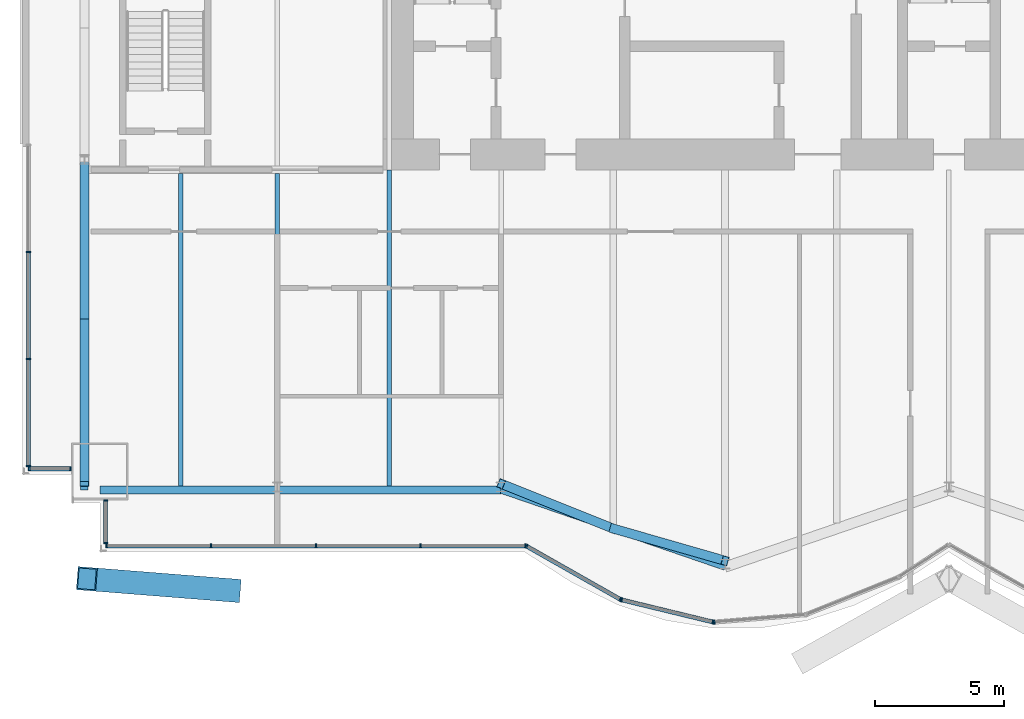
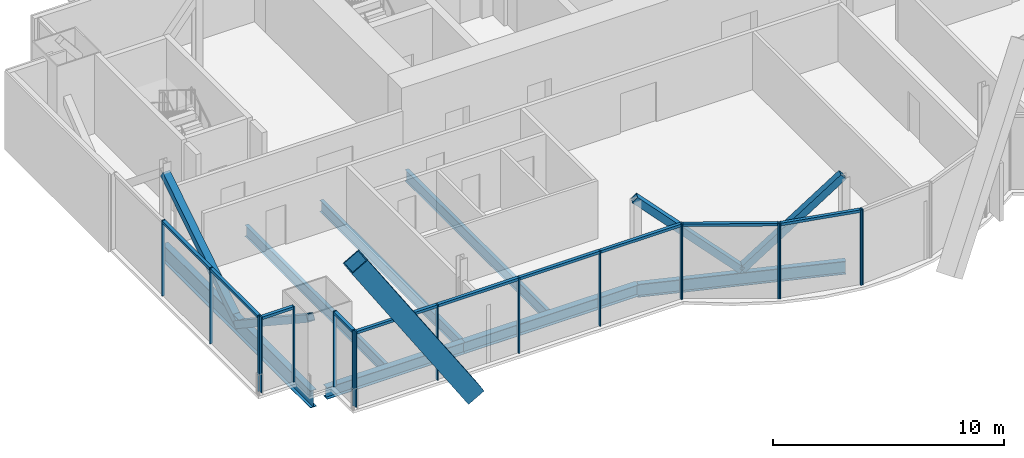
# One storey, part 5 of 19: 32 members, 7 beams, 5 elements without a shape of their own.
"""IFC4 building model written with IfcOpenShell, lengths in metres."""

from ifc_helpers import new_model, si_unit, direction, frame, origin, origin_2d, place, context, subcontext, project, spatial, rectangle, hollow_rectangle, i_section, extrude, material, material_profile, profile_set, type_object, element, aggregate, save


model = new_model("IFC4")

# Units and contexts
model_context = context("Model", 3, precision=1e-05, world=origin(), true_north=direction((0.0, 1.0)))
body_context = subcontext(model_context, "Body", "Model", "MODEL_VIEW")
ifc_project = project(units=[si_unit("LENGTHUNIT", "METRE"), si_unit("AREAUNIT", "SQUARE_METRE"), si_unit("VOLUMEUNIT", "CUBIC_METRE"), si_unit("PLANEANGLEUNIT", "RADIAN"), si_unit("MASSUNIT", "GRAM", prefix="KILO")], contexts=[model_context])

# Site, building, storey
site_placement = place(None, origin())
site = spatial("IfcSite", under=ifc_project, at=site_placement, CompositionType="ELEMENT")
building_placement = place(site_placement, origin())
building = spatial("IfcBuilding", under=site, at=building_placement, Name="Bicima Exchange Tower", CompositionType="ELEMENT")
storey_placement = place(building_placement, frame((0.0, 0.0, 283.39990234375)))
storey = spatial("IfcBuildingStorey", under=building, at=storey_placement, Name="L64", CompositionType="ELEMENT", Elevation=283.39990234375)

# Curtain wall, members
ifc_material_1 = material(Name="Anodised bronze aluminium", Category="aluminium")
curtain_wall_type_1 = type_object("IfcCurtainWallType", Name="End face glass wall", PredefinedType="NOTDEFINED", material=ifc_material_1)
curtain_wall_1_placement = place(storey_placement, origin())
curtain_wall_1 = element("IfcCurtainWall", 1, at=curtain_wall_1_placement, inside=storey, type_object=curtain_wall_type_1, Name="End face glass wall L64 run 2", PredefinedType="NOTDEFINED")
ifc_material_profile_1 = material_profile(ifc_material_1, rectangle(XDim=0.159912109375, YDim=0.06005859375, at=origin_2d()))
ifc_profile_set_1 = profile_set([ifc_material_profile_1], Name="Anodised bronze aluminium")
member_type_1 = type_object("IfcMemberType", Name="End face glass wall mullion 60 x 160", PredefinedType="MULLION", material=ifc_profile_set_1)
member_1_placement = place(storey_placement, frame((-35.77001953125, -16.189208984375, 0.0), z_axis=(0.0, 0.0, 1.0), x_axis=(1.0, 0.0, 0.0)))
member_1 = element("IfcMember", 2, at=member_1_placement, type_object=member_type_1, Name="End face glass wall mullion 2", PredefinedType="MULLION", context=body_context, shape_type="SweptSolid", body=[
    extrude(rectangle(XDim=0.159912109375, YDim=0.06005859375, at=origin_2d()), origin(), (0.0, 0.0, 1.0), 4.0),
])
member_2_placement = place(storey_placement, frame((-35.77001953125, -20.3486328125, 0.0), z_axis=(0.0, 0.0, 1.0), x_axis=(1.0, 0.0, 0.0)))
member_2 = element("IfcMember", 3, at=member_2_placement, type_object=member_type_1, Name="End face glass wall mullion 3", PredefinedType="MULLION", context=body_context, shape_type="SweptSolid", body=[
    extrude(rectangle(XDim=0.159912109375, YDim=0.06005859375, at=origin_2d()), origin(), (0.0, 0.0, 1.0), 4.0),
])
member_3_placement = place(storey_placement, frame((-35.77001953125, -24.508056640625, 0.0), z_axis=(0.0, 0.0, 1.0), x_axis=(1.0, 0.0, 0.0)))
member_3 = element("IfcMember", 4, at=member_3_placement, type_object=member_type_1, Name="End face glass wall mullion 4", PredefinedType="MULLION", context=body_context, shape_type="SweptSolid", body=[
    extrude(rectangle(XDim=0.159912109375, YDim=0.06005859375, at=origin_2d()), origin(), (0.0, 0.0, 1.0), 4.0),
])
ifc_material_profile_2 = material_profile(ifc_material_1, rectangle(XDim=0.159912109375, YDim=0.139892578125, at=origin_2d()))
ifc_profile_set_2 = profile_set([ifc_material_profile_2], Name="Anodised bronze aluminium")
member_type_2 = type_object("IfcMemberType", Name="End face glass wall transom 140 x 160", PredefinedType="USERDEFINED", material=ifc_profile_set_2)
member_4_placement = place(storey_placement, frame((-35.77001953125, -16.21923828125, 3.93017578125), z_axis=(0.0, -1.0, 0.0), x_axis=(1.0, 0.0, 0.0)))
member_4 = element("IfcMember", 5, at=member_4_placement, type_object=member_type_2, Name="End face glass wall transom 2.1", ObjectType="TRANSOM", PredefinedType="USERDEFINED", context=body_context, shape_type="SweptSolid", body=[
    extrude(rectangle(XDim=0.159912109375, YDim=0.139892578125, at=origin_2d()), origin(), (0.0, 0.0, 1.0), 4.099365234375),
])
member_5_placement = place(storey_placement, frame((-35.77001953125, -20.378662109375, 3.93017578125), z_axis=(0.0, -1.0, 0.0), x_axis=(1.0, 0.0, 0.0)))
member_5 = element("IfcMember", 6, at=member_5_placement, type_object=member_type_2, Name="End face glass wall transom 3.1", ObjectType="TRANSOM", PredefinedType="USERDEFINED", context=body_context, shape_type="SweptSolid", body=[
    extrude(rectangle(XDim=0.159912109375, YDim=0.139892578125, at=origin_2d()), origin(), (0.0, 0.0, 1.0), 4.099365234375),
])
aggregate(curtain_wall_1, [member_1, member_2, member_3, member_4, member_5])

# Beam
ifc_material_2 = material(Name="Steel ASTM A992 Gr 50", Category="steel")
ifc_material_profile_3 = material_profile(ifc_material_2, i_section(OverallWidth=0.3046875, OverallDepth=0.911865234375, WebThickness=0.015869140625, FlangeThickness=0.02392578125, at=origin_2d()))
ifc_profile_set_3 = profile_set([ifc_material_profile_3], Name="Steel ASTM A992 Gr 50")
beam_type_1 = type_object("IfcBeamType", Name="End girder W36x150", PredefinedType="BEAM", material=ifc_profile_set_3)
beam_1_placement = place(storey_placement, frame((-33.60009765625, -12.60009765625, -0.605712890625), z_axis=(0.0, -1.0, 0.0), x_axis=(1.0, 0.0, 0.0)))
element("IfcBeam", 7, at=beam_1_placement, inside=storey, type_object=beam_type_1, Name="End girder", PredefinedType="BEAM", context=body_context, shape_type="SweptSolid", body=[
    extrude(i_section(OverallWidth=0.3046875, OverallDepth=0.911865234375, WebThickness=0.015869140625, FlangeThickness=0.02392578125, at=origin_2d()), origin(), (0.0, 0.0, 1.0), 12.847900390625),
])

# Member
ifc_material_3 = material(Name="Steel ASTM A572 Gr 50", Category="steel")
ifc_material_profile_4 = material_profile(ifc_material_3, hollow_rectangle(XDim=0.89990234375, YDim=0.89990234375, WallThickness=0.050048828125, at=origin_2d()))
ifc_profile_set_4 = profile_set([ifc_material_profile_4], Name="Steel ASTM A572 Gr 50")
member_type_3 = type_object("IfcMemberType", Name="Exo mega brace BOX 900x900x50", PredefinedType="BRACE", material=ifc_profile_set_4)
member_6_placement = place(storey_placement, frame((-27.916748046875, -29.34228515625, 0.10009765625), z_axis=(-0.544016841712, 0.043033209439, 0.837970058426), x_axis=(-0.078856388539, -0.996885986453, 0.0)))
element("IfcMember", 8, at=member_6_placement, inside=storey, type_object=member_type_3, Name="Exo mega brace front", PredefinedType="BRACE", context=body_context, shape_type="SweptSolid", body=[
    extrude(hollow_rectangle(XDim=0.89990234375, YDim=0.89990234375, WallThickness=0.050048828125, at=origin_2d()), origin(), (0.0, 0.0, 1.0), 10.262939453125),
])

# Beams
ifc_material_profile_5 = material_profile(ifc_material_2, i_section(OverallWidth=0.177978515625, OverallDepth=0.599365234375, WebThickness=0.010009765625, FlangeThickness=0.012939453125, at=origin_2d()))
ifc_profile_set_5 = profile_set([ifc_material_profile_5], Name="Steel ASTM A992 Gr 50")
beam_type_2 = type_object("IfcBeamType", Name="Floor beam W24x55", PredefinedType="JOIST", material=ifc_profile_set_5)
for number, where, z_axis, x_axis, name in (
    (9, (-29.85009765625, -13.15234375, -0.44970703125), (0.0, -1.0, 0.0), (1.0, 0.0, 0.0), "Floor beam"),
    (10, (-26.10009765625, -13.15234375, -0.44970703125), (0.0, -1.0, 0.0), (1.0, 0.0, 0.0), "Floor beam"),
):
    element("IfcBeam", number, at=place(storey_placement, frame(where, z_axis=z_axis, x_axis=x_axis)), inside=storey, type_object=beam_type_2, Name=name, PredefinedType="JOIST", context=body_context, shape_type="SweptSolid", body=[
        extrude(i_section(OverallWidth=0.177978515625, OverallDepth=0.599365234375, WebThickness=0.010009765625, FlangeThickness=0.012939453125, at=origin_2d()), origin(), (0.0, 0.0, 1.0), 12.133056640625),
    ])
beam_2_placement = place(storey_placement, frame((-21.75, -13.0, -0.44970703125), z_axis=(0.0, -1.0, 0.0), x_axis=(1.0, 0.0, 0.0)))
element("IfcBeam", 11, at=beam_2_placement, inside=storey, type_object=beam_type_2, Name="Floor beam", PredefinedType="JOIST", context=body_context, shape_type="SweptSolid", body=[
    extrude(i_section(OverallWidth=0.177978515625, OverallDepth=0.599365234375, WebThickness=0.010009765625, FlangeThickness=0.012939453125, at=origin_2d()), origin(), (0.0, 0.0, 1.0), 12.285400390625),
])
ifc_material_profile_6 = material_profile(ifc_material_2, i_section(OverallWidth=0.3251953125, OverallDepth=0.612060546875, WebThickness=0.0126953125, FlangeThickness=0.01904296875, at=origin_2d()))
ifc_profile_set_6 = profile_set([ifc_material_profile_6], Name="Steel ASTM A992 Gr 50")
beam_type_3 = type_object("IfcBeamType", Name="Front girder W24x104", PredefinedType="BEAM", material=ifc_profile_set_6)
beam_3_placement = place(storey_placement, frame((-33.0, -25.447998046875, -0.4560546875), z_axis=(1.0, 0.0, 0.0), x_axis=(0.0, 1.0, 0.0)))
element("IfcBeam", 12, at=beam_3_placement, inside=storey, type_object=beam_type_3, Name="Front girder", PredefinedType="BEAM", context=body_context, shape_type="SweptSolid", body=[
    extrude(i_section(OverallWidth=0.3251953125, OverallDepth=0.612060546875, WebThickness=0.0126953125, FlangeThickness=0.01904296875, at=origin_2d()), origin(), (0.0, 0.0, 1.0), 6.89990234375),
])
beam_4_placement = place(storey_placement, frame((-26.10009765625, -25.447998046875, -0.4560546875), z_axis=(1.0, 0.0, 0.0), x_axis=(0.0, 1.0, 0.0)))
element("IfcBeam", 13, at=beam_4_placement, inside=storey, type_object=beam_type_3, Name="Front girder", PredefinedType="BEAM", context=body_context, shape_type="SweptSolid", body=[
    extrude(i_section(OverallWidth=0.3251953125, OverallDepth=0.612060546875, WebThickness=0.0126953125, FlangeThickness=0.01904296875, at=origin_2d()), origin(), (0.0, 0.0, 1.0), 8.7001953125),
])
ifc_material_profile_7 = material_profile(ifc_material_2, i_section(OverallWidth=0.256591796875, OverallDepth=0.693359375, WebThickness=0.014404296875, FlangeThickness=0.023681640625, at=origin_2d()))
ifc_profile_set_7 = profile_set([ifc_material_profile_7], Name="Steel ASTM A992 Gr 50")
beam_type_4 = type_object("IfcBeamType", Name="Front girder W27x114", PredefinedType="BEAM", material=ifc_profile_set_7)
beam_5_placement = place(storey_placement, frame((-17.39990234375, -25.447998046875, -0.49658203125), z_axis=(0.945666456746, -0.325138359143, 0.0), x_axis=(0.325138359143, 0.945666456746, 0.0)))
element("IfcBeam", 14, at=beam_5_placement, inside=storey, type_object=beam_type_4, Name="Front girder", PredefinedType="BEAM", context=body_context, shape_type="SweptSolid", body=[
    extrude(i_section(OverallWidth=0.256591796875, OverallDepth=0.693359375, WebThickness=0.014404296875, FlangeThickness=0.023681640625, at=origin_2d()), origin(), (0.0, 0.0, 1.0), 9.19970703125),
])

# Curtain wall, members
curtain_wall_type_2 = type_object("IfcCurtainWallType", Name="Front glass wall", PredefinedType="NOTDEFINED", material=ifc_material_1)
curtain_wall_2_placement = place(storey_placement, origin())
curtain_wall_2 = element("IfcCurtainWall", 15, at=curtain_wall_2_placement, inside=storey, type_object=curtain_wall_type_2, Name="Front glass wall L64 run 3", PredefinedType="NOTDEFINED")
member_type_4 = type_object("IfcMemberType", Name="Front glass wall mullion 60 x 160", PredefinedType="MULLION", material=ifc_profile_set_1)
member_7_placement = place(storey_placement, frame((-35.739990234375, -24.617919921875, 0.0), z_axis=(0.0, 0.0, 1.0), x_axis=(0.0, 1.0, 0.0)))
member_7 = element("IfcMember", 16, at=member_7_placement, type_object=member_type_4, Name="Front glass wall mullion 1", PredefinedType="MULLION", context=body_context, shape_type="SweptSolid", body=[
    extrude(rectangle(XDim=0.159912109375, YDim=0.06005859375, at=origin_2d()), origin(), (0.0, 0.0, 1.0), 4.0),
])
member_8_placement = place(storey_placement, frame((-34.1298828125, -24.617919921875, 0.0), z_axis=(0.0, 0.0, 1.0), x_axis=(0.0, 1.0, 0.0)))
member_8 = element("IfcMember", 17, at=member_8_placement, type_object=member_type_4, Name="Front glass wall mullion 2", PredefinedType="MULLION", context=body_context, shape_type="SweptSolid", body=[
    extrude(rectangle(XDim=0.159912109375, YDim=0.06005859375, at=origin_2d()), origin(), (0.0, 0.0, 1.0), 4.0),
])

curtain_wall_3_placement = place(storey_placement, origin())
curtain_wall_3 = element("IfcCurtainWall", 18, at=curtain_wall_3_placement, inside=storey, type_object=curtain_wall_type_2, Name="Front glass wall L64 run 4", PredefinedType="NOTDEFINED")
member_9_placement = place(storey_placement, frame((-32.77001953125, -25.85595703125, 0.0), z_axis=(0.0, 0.0, 1.0), x_axis=(1.0, 0.0, 0.0)))
member_9 = element("IfcMember", 19, at=member_9_placement, type_object=member_type_4, Name="Front glass wall mullion 1", PredefinedType="MULLION", context=body_context, shape_type="SweptSolid", body=[
    extrude(rectangle(XDim=0.159912109375, YDim=0.06005859375, at=origin_2d()), origin(), (0.0, 0.0, 1.0), 4.0),
])
member_10_placement = place(storey_placement, frame((-32.77001953125, -27.508056640625, 0.0), z_axis=(0.0, 0.0, 1.0), x_axis=(1.0, 0.0, 0.0)))
member_10 = element("IfcMember", 20, at=member_10_placement, type_object=member_type_4, Name="Front glass wall mullion 2", PredefinedType="MULLION", context=body_context, shape_type="SweptSolid", body=[
    extrude(rectangle(XDim=0.159912109375, YDim=0.06005859375, at=origin_2d()), origin(), (0.0, 0.0, 1.0), 4.0),
])

curtain_wall_4_placement = place(storey_placement, origin())
curtain_wall_4 = element("IfcCurtainWall", 21, at=curtain_wall_4_placement, inside=storey, type_object=curtain_wall_type_2, Name="Front glass wall L64 run 5", PredefinedType="NOTDEFINED")
member_11_placement = place(storey_placement, frame((-32.739990234375, -27.617919921875, 0.0), z_axis=(0.0, 0.0, 1.0), x_axis=(0.0, 1.0, 0.0)))
member_11 = element("IfcMember", 22, at=member_11_placement, type_object=member_type_4, Name="Front glass wall mullion 1", PredefinedType="MULLION", context=body_context, shape_type="SweptSolid", body=[
    extrude(rectangle(XDim=0.159912109375, YDim=0.06005859375, at=origin_2d()), origin(), (0.0, 0.0, 1.0), 4.0),
])
member_12_placement = place(storey_placement, frame((-28.67041015625, -27.617919921875, 0.0), z_axis=(0.0, 0.0, 1.0), x_axis=(0.0, 1.0, 0.0)))
member_12 = element("IfcMember", 23, at=member_12_placement, type_object=member_type_4, Name="Front glass wall mullion 2", PredefinedType="MULLION", context=body_context, shape_type="SweptSolid", body=[
    extrude(rectangle(XDim=0.159912109375, YDim=0.06005859375, at=origin_2d()), origin(), (0.0, 0.0, 1.0), 4.0),
])
member_13_placement = place(storey_placement, frame((-24.60107421875, -27.617919921875, 0.0), z_axis=(0.0, 0.0, 1.0), x_axis=(0.0, 1.0, 0.0)))
member_13 = element("IfcMember", 24, at=member_13_placement, type_object=member_type_4, Name="Front glass wall mullion 3", PredefinedType="MULLION", context=body_context, shape_type="SweptSolid", body=[
    extrude(rectangle(XDim=0.159912109375, YDim=0.06005859375, at=origin_2d()), origin(), (0.0, 0.0, 1.0), 4.0),
])
member_14_placement = place(storey_placement, frame((-20.531494140625, -27.617919921875, 0.0), z_axis=(0.0, 0.0, 1.0), x_axis=(0.0, 1.0, 0.0)))
member_14 = element("IfcMember", 25, at=member_14_placement, type_object=member_type_4, Name="Front glass wall mullion 4", PredefinedType="MULLION", context=body_context, shape_type="SweptSolid", body=[
    extrude(rectangle(XDim=0.159912109375, YDim=0.06005859375, at=origin_2d()), origin(), (0.0, 0.0, 1.0), 4.0),
])
member_15_placement = place(storey_placement, frame((-16.462158203125, -27.617919921875, 0.0), z_axis=(0.0, 0.0, 1.0), x_axis=(0.0, 1.0, 0.0)))
member_15 = element("IfcMember", 26, at=member_15_placement, type_object=member_type_4, Name="Front glass wall mullion 5", PredefinedType="MULLION", context=body_context, shape_type="SweptSolid", body=[
    extrude(rectangle(XDim=0.159912109375, YDim=0.06005859375, at=origin_2d()), origin(), (0.0, 0.0, 1.0), 4.0),
])

curtain_wall_5_placement = place(storey_placement, origin())
curtain_wall_5 = element("IfcCurtainWall", 27, at=curtain_wall_5_placement, inside=storey, type_object=curtain_wall_type_2, Name="Front glass wall L64 run 6", PredefinedType="NOTDEFINED")
member_16_placement = place(storey_placement, frame((-16.406005859375, -27.6328125, 0.0), z_axis=(0.0, 0.0, 1.0), x_axis=(0.493395449343, 0.869805110681, 0.0)))
member_16 = element("IfcMember", 28, at=member_16_placement, type_object=member_type_4, Name="Front glass wall mullion 1", PredefinedType="MULLION", context=body_context, shape_type="SweptSolid", body=[
    extrude(rectangle(XDim=0.159912109375, YDim=0.06005859375, at=origin_2d()), origin(), (0.0, 0.0, 1.0), 4.0),
])
member_17_placement = place(storey_placement, frame((-12.7734375, -29.693359375, 0.0), z_axis=(0.0, 0.0, 1.0), x_axis=(0.493395449343, 0.869805110681, 0.0)))
member_17 = element("IfcMember", 29, at=member_17_placement, type_object=member_type_4, Name="Front glass wall mullion 2", PredefinedType="MULLION", context=body_context, shape_type="SweptSolid", body=[
    extrude(rectangle(XDim=0.159912109375, YDim=0.06005859375, at=origin_2d()), origin(), (0.0, 0.0, 1.0), 4.0),
])
member_18_placement = place(storey_placement, frame((-12.718017578125, -29.71533203125, 0.0), z_axis=(0.0, 0.0, 1.0), x_axis=(0.235681529503, 0.971830343553, 0.0)))
member_18 = element("IfcMember", 30, at=member_18_placement, type_object=member_type_4, Name="Front glass wall mullion 1", PredefinedType="MULLION", context=body_context, shape_type="SweptSolid", body=[
    extrude(rectangle(XDim=0.159912109375, YDim=0.06005859375, at=origin_2d()), origin(), (0.0, 0.0, 1.0), 4.0),
])
member_19_placement = place(storey_placement, frame((-9.177490234375, -30.573974609375, 0.0), z_axis=(0.0, 0.0, 1.0), x_axis=(0.235681529503, 0.971830343553, 0.0)))
member_19 = element("IfcMember", 31, at=member_19_placement, type_object=member_type_4, Name="Front glass wall mullion 2", PredefinedType="MULLION", context=body_context, shape_type="SweptSolid", body=[
    extrude(rectangle(XDim=0.159912109375, YDim=0.06005859375, at=origin_2d()), origin(), (0.0, 0.0, 1.0), 4.0),
])
member_20_placement = place(storey_placement, frame((-9.118408203125, -30.57861328125, 0.0), z_axis=(0.0, 0.0, 1.0), x_axis=(-0.080588612633, 0.99674744821, 0.0)))
member_20 = element("IfcMember", 32, at=member_20_placement, type_object=member_type_4, Name="Front glass wall mullion 1", PredefinedType="MULLION", context=body_context, shape_type="SweptSolid", body=[
    extrude(rectangle(XDim=0.159912109375, YDim=0.06005859375, at=origin_2d()), origin(), (0.0, 0.0, 1.0), 4.0),
])

# Member
member_type_5 = type_object("IfcMemberType", Name="Front glass wall transom 140 x 160", PredefinedType="USERDEFINED", material=ifc_profile_set_2)
member_21_placement = place(storey_placement, frame((-35.7099609375, -24.617919921875, 3.93017578125), z_axis=(1.0, 0.0, 0.0), x_axis=(0.0, 1.0, 0.0)))
member_21 = element("IfcMember", 33, at=member_21_placement, type_object=member_type_5, Name="Front glass wall transom 1.1", ObjectType="TRANSOM", PredefinedType="USERDEFINED", context=body_context, shape_type="SweptSolid", body=[
    extrude(rectangle(XDim=0.159912109375, YDim=0.139892578125, at=origin_2d()), origin(), (0.0, 0.0, 1.0), 1.550048828125),
])

aggregate(curtain_wall_2, [member_7, member_8, member_21])

member_22_placement = place(storey_placement, frame((-32.77001953125, -25.885986328125, 3.93017578125), z_axis=(0.0, -1.0, 0.0), x_axis=(1.0, 0.0, 0.0)))
member_22 = element("IfcMember", 34, at=member_22_placement, type_object=member_type_5, Name="Front glass wall transom 1.1", ObjectType="TRANSOM", PredefinedType="USERDEFINED", context=body_context, shape_type="SweptSolid", body=[
    extrude(rectangle(XDim=0.159912109375, YDim=0.139892578125, at=origin_2d()), origin(), (0.0, 0.0, 1.0), 1.592041015625),
])

aggregate(curtain_wall_3, [member_9, member_10, member_22])

member_23_placement = place(storey_placement, frame((-32.7099609375, -27.617919921875, 3.93017578125), z_axis=(1.0, 0.0, 0.0), x_axis=(0.0, 1.0, 0.0)))
member_23 = element("IfcMember", 35, at=member_23_placement, type_object=member_type_5, Name="Front glass wall transom 1.1", ObjectType="TRANSOM", PredefinedType="USERDEFINED", context=body_context, shape_type="SweptSolid", body=[
    extrude(rectangle(XDim=0.159912109375, YDim=0.139892578125, at=origin_2d()), origin(), (0.0, 0.0, 1.0), 4.009521484375),
])

member_24_placement = place(storey_placement, frame((-28.640380859375, -27.617919921875, 3.93017578125), z_axis=(1.0, 0.0, 0.0), x_axis=(0.0, 1.0, 0.0)))
member_24 = element("IfcMember", 36, at=member_24_placement, type_object=member_type_5, Name="Front glass wall transom 2.1", ObjectType="TRANSOM", PredefinedType="USERDEFINED", context=body_context, shape_type="SweptSolid", body=[
    extrude(rectangle(XDim=0.159912109375, YDim=0.139892578125, at=origin_2d()), origin(), (0.0, 0.0, 1.0), 4.00927734375),
])

member_25_placement = place(storey_placement, frame((-24.571044921875, -27.617919921875, 3.93017578125), z_axis=(1.0, 0.0, 0.0), x_axis=(0.0, 1.0, 0.0)))
member_25 = element("IfcMember", 37, at=member_25_placement, type_object=member_type_5, Name="Front glass wall transom 3.1", ObjectType="TRANSOM", PredefinedType="USERDEFINED", context=body_context, shape_type="SweptSolid", body=[
    extrude(rectangle(XDim=0.159912109375, YDim=0.139892578125, at=origin_2d()), origin(), (0.0, 0.0, 1.0), 4.009521484375),
])

member_26_placement = place(storey_placement, frame((-20.501708984375, -27.617919921875, 3.93017578125), z_axis=(1.0, 0.0, 0.0), x_axis=(0.0, 1.0, 0.0)))
member_26 = element("IfcMember", 38, at=member_26_placement, type_object=member_type_5, Name="Front glass wall transom 4.1", ObjectType="TRANSOM", PredefinedType="USERDEFINED", context=body_context, shape_type="SweptSolid", body=[
    extrude(rectangle(XDim=0.159912109375, YDim=0.139892578125, at=origin_2d()), origin(), (0.0, 0.0, 1.0), 4.009521484375),
])

aggregate(curtain_wall_4, [member_11, member_12, member_13, member_14, member_15, member_23, member_24, member_25, member_26])

member_27_placement = place(storey_placement, frame((-16.3798828125, -27.647705078125, 3.93017578125), z_axis=(0.869797371721, -0.49340909208, 0.0), x_axis=(0.49340909208, 0.869797371721, 0.0)))
member_27 = element("IfcMember", 39, at=member_27_placement, type_object=member_type_5, Name="Front glass wall transom 1.1", ObjectType="TRANSOM", PredefinedType="USERDEFINED", context=body_context, shape_type="SweptSolid", body=[
    extrude(rectangle(XDim=0.159912109375, YDim=0.139892578125, at=origin_2d()), origin(), (0.0, 0.0, 1.0), 4.1162109375),
])

member_28_placement = place(storey_placement, frame((-12.68896484375, -29.722412109375, 3.93017578125), z_axis=(0.971833557815, -0.235668275132, 0.0), x_axis=(0.235668275132, 0.971833557815, 0.0)))
member_28 = element("IfcMember", 40, at=member_28_placement, type_object=member_type_5, Name="Front glass wall transom 1.1", ObjectType="TRANSOM", PredefinedType="USERDEFINED", context=body_context, shape_type="SweptSolid", body=[
    extrude(rectangle(XDim=0.159912109375, YDim=0.139892578125, at=origin_2d()), origin(), (0.0, 0.0, 1.0), 3.583251953125),
])

aggregate(curtain_wall_5, [member_16, member_17, member_27, member_18, member_19, member_28, member_20])

# Members
ifc_material_profile_8 = material_profile(ifc_material_3, hollow_rectangle(XDim=0.355712890625, YDim=0.355712890625, WallThickness=0.0146484375, at=origin_2d()))
ifc_profile_set_8 = profile_set([ifc_material_profile_8], Name="Steel ASTM A572 Gr 50")
member_type_6 = type_object("IfcMemberType", Name="Mega brace HSS14x14x5/8", PredefinedType="BRACE", material=ifc_profile_set_8)
member_29_placement = place(storey_placement, frame((-13.050048828125, -26.943603515625, 0.0), z_axis=(0.704464364483, -0.202664964212, 0.680188849846), x_axis=(0.276473064615, 0.961021667052, 0.0)))
element("IfcMember", 41, at=member_29_placement, inside=storey, type_object=member_type_6, Name="Mega brace front", PredefinedType="BRACE", context=body_context, shape_type="SweptSolid", body=[
    extrude(hollow_rectangle(XDim=0.355712890625, YDim=0.355712890625, WallThickness=0.0146484375, at=origin_2d()), origin(), (0.0, 0.0, 1.0), 6.175048828125),
])
member_30_placement = place(storey_placement, frame((-13.050048828125, -26.943603515625, 0.0), z_axis=(-0.691335453002, 0.276464337579, 0.667549819467), x_axis=(-0.371309808925, -0.928509033772, 0.0)))
element("IfcMember", 42, at=member_30_placement, inside=storey, type_object=member_type_6, Name="Mega brace front", PredefinedType="BRACE", context=body_context, shape_type="SweptSolid", body=[
    extrude(hollow_rectangle(XDim=0.355712890625, YDim=0.355712890625, WallThickness=0.0146484375, at=origin_2d()), origin(), (0.0, 0.0, 1.0), 6.2919921875),
])
member_31_placement = place(storey_placement, frame((-33.60009765625, -18.902099609375, -0.605712890625), z_axis=(0.0, -0.835182826621, 0.54997240487), x_axis=(1.0, 0.0, 0.0)))
element("IfcMember", 43, at=member_31_placement, inside=storey, type_object=member_type_6, Name="Mega brace west end", PredefinedType="BRACE", context=body_context, shape_type="SweptSolid", body=[
    extrude(hollow_rectangle(XDim=0.355712890625, YDim=0.355712890625, WallThickness=0.0146484375, at=origin_2d()), origin(), (0.0, 0.0, 1.0), 7.545654296875),
])
member_32_placement = place(storey_placement, frame((-33.60009765625, -19.14599609375, -0.605712890625), z_axis=(0.0, 0.844575981866, 0.535435720564), x_axis=(-1.0, 0.0, 0.0)))
element("IfcMember", 44, at=member_32_placement, inside=storey, type_object=member_type_6, Name="Mega brace west end", PredefinedType="BRACE", context=body_context, shape_type="SweptSolid", body=[
    extrude(hollow_rectangle(XDim=0.355712890625, YDim=0.355712890625, WallThickness=0.0146484375, at=origin_2d()), origin(), (0.0, 0.0, 1.0), 7.75048828125),
])

save(model, "model.ifc")
